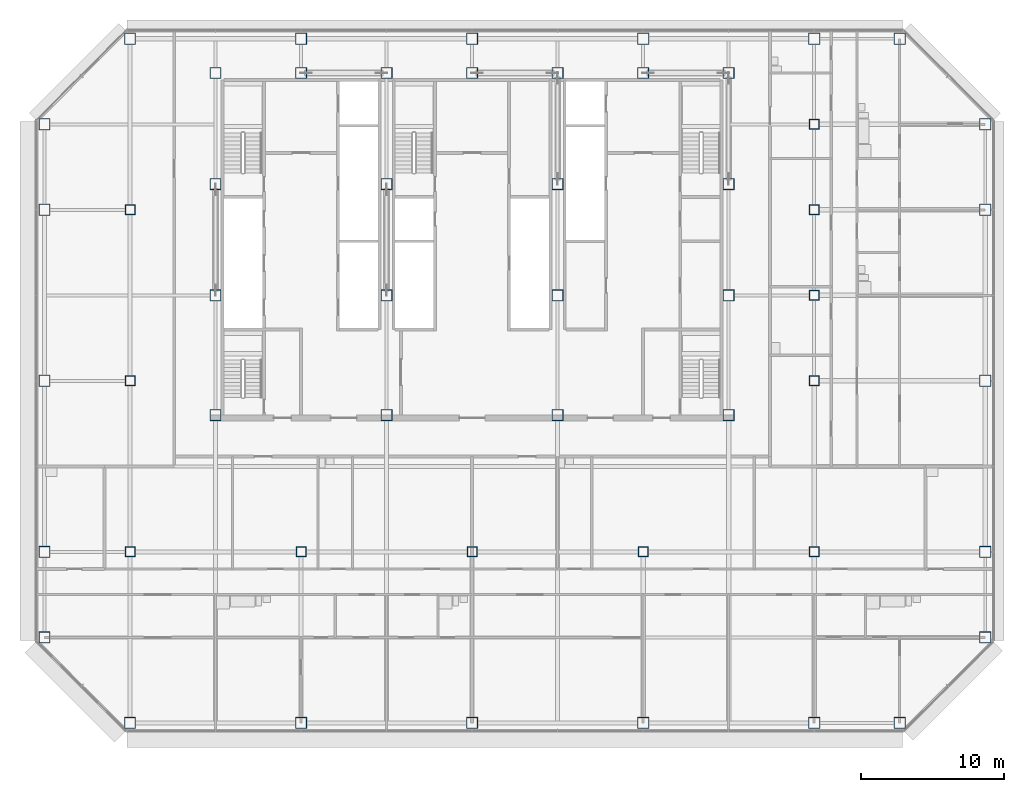
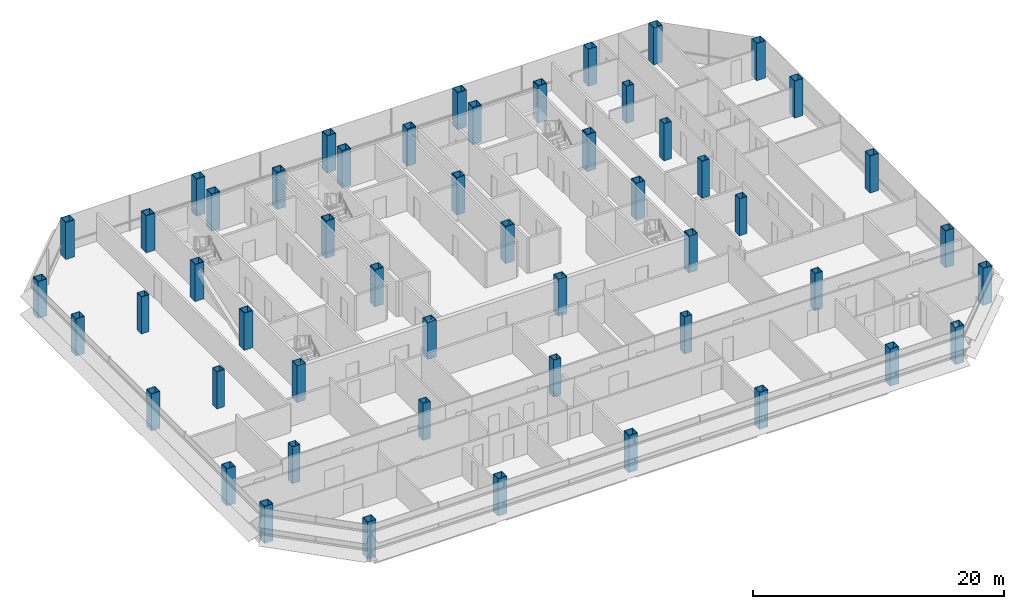
# One storey, part 1 of 25: 52 columns.
"""IFC4 building model written with IfcOpenShell, lengths in metres."""

from ifc_helpers import new_model, si_unit, direction, frame, origin, origin_2d, place, context, subcontext, project, spatial, hollow_rectangle, extrude, material, material_profile, profile_set, type_object, element, save


model = new_model("IFC4")

# Units and contexts
model_context = context("Model", 3, precision=1e-05, world=origin(), true_north=direction((0.0, 1.0)))
body_context = subcontext(model_context, "Body", "Model", "MODEL_VIEW")
ifc_project = project(units=[si_unit("LENGTHUNIT", "METRE"), si_unit("AREAUNIT", "SQUARE_METRE"), si_unit("VOLUMEUNIT", "CUBIC_METRE"), si_unit("PLANEANGLEUNIT", "RADIAN"), si_unit("MASSUNIT", "GRAM", prefix="KILO")], contexts=[model_context])

# Site, building, storey
site_placement = place(None, origin())
site = spatial("IfcSite", under=ifc_project, at=site_placement, CompositionType="ELEMENT")
building_placement = place(site_placement, origin())
building = spatial("IfcBuilding", under=site, at=building_placement, Name="Sorahane Residences", CompositionType="ELEMENT")
storey_placement = place(building_placement, frame((0.0, 0.0, 143.800048828125)))
storey = spatial("IfcBuildingStorey", under=building, at=storey_placement, Name="L32", CompositionType="ELEMENT", Elevation=143.800048828125)

# Columns
ifc_material_1 = material(Name="Steel Q355B", Category="steel")
ifc_material_profile_1 = material_profile(ifc_material_1, hollow_rectangle(XDim=0.699951171875, YDim=0.699951171875, WallThickness=0.035888671875, at=origin_2d()), Name="BOX 700x700x36")
ifc_profile_set_1 = profile_set([ifc_material_profile_1], Name="Steel Q355B")
column_type_1 = type_object("IfcColumnType", Name="Steel box column BOX 700x700x36 Q355B", PredefinedType="COLUMN", material=ifc_profile_set_1)
for number, where, z_axis, x_axis, name in (
    (1, (0.0, 12.0, 0.0), (0.0, 0.0, 1.0), (1.0, 0.0, 0.0), "Column L32 0/12"),
    (2, (0.0, 24.0, 0.0), (0.0, 0.0, 1.0), (1.0, 0.0, 0.0), "Column L32 0/24"),
    (3, (0.0, 36.0, 0.0), (0.0, 0.0, 1.0), (1.0, 0.0, 0.0), "Column L32 0/36"),
    (4, (12.0, 12.0, 0.0), (0.0, 0.0, 1.0), (1.0, 0.0, 0.0), "Column L32 12/12"),
    (5, (24.0, 12.0, 0.0), (0.0, 0.0, 1.0), (1.0, 0.0, 0.0), "Column L32 24/12"),
    (6, (36.0, 12.0, 0.0), (0.0, 0.0, 1.0), (1.0, 0.0, 0.0), "Column L32 36/12"),
    (7, (48.0, 12.0, 0.0), (0.0, 0.0, 1.0), (1.0, 0.0, 0.0), "Column L32 48/12"),
    (8, (48.0, 24.0, 0.0), (0.0, 0.0, 1.0), (1.0, 0.0, 0.0), "Column L32 48/24"),
    (9, (48.0, 30.0, 0.0), (0.0, 0.0, 1.0), (1.0, 0.0, 0.0), "Column L32 48/30"),
    (10, (48.0, 36.0, 0.0), (0.0, 0.0, 1.0), (1.0, 0.0, 0.0), "Column L32 48/36"),
    (11, (48.0, 42.0, 0.0), (0.0, 0.0, 1.0), (1.0, 0.0, 0.0), "Column L32 48/42"),
):
    element("IfcColumn", number, at=place(storey_placement, frame(where, z_axis=z_axis, x_axis=x_axis)), inside=storey, type_object=column_type_1, Name=name, PredefinedType="COLUMN", context=body_context, shape_type="SweptSolid", body=[
        extrude(hollow_rectangle(XDim=0.699951171875, YDim=0.699951171875, WallThickness=0.035888671875, at=origin_2d()), origin(), (0.0, 0.0, 1.0), 3.599853515625),
    ])
ifc_material_2 = material(Name="Steel Q355B", Category="steel")
ifc_material_profile_2 = material_profile(ifc_material_2, hollow_rectangle(XDim=0.800048828125, YDim=0.800048828125, WallThickness=0.0400390625, at=origin_2d()), Name="BOX 800x800x40")
ifc_profile_set_2 = profile_set([ifc_material_profile_2], Name="Steel Q355B")
column_type_2 = type_object("IfcColumnType", Name="Steel box column BOX 800x800x40 Q355B", PredefinedType="COLUMN", material=ifc_profile_set_2)
for number, where, z_axis, x_axis, name in (
    (12, (-6.0, 6.0, 0.0), (0.0, 0.0, 1.0), (1.0, 0.0, 0.0), "Column L32 m6/6"),
    (13, (-6.0, 12.0, 0.0), (0.0, 0.0, 1.0), (1.0, 0.0, 0.0), "Column L32 m6/12"),
    (14, (-6.0, 24.0, 0.0), (0.0, 0.0, 1.0), (1.0, 0.0, 0.0), "Column L32 m6/24"),
    (15, (-6.0, 36.0, 0.0), (0.0, 0.0, 1.0), (1.0, 0.0, 0.0), "Column L32 m6/36"),
    (16, (-6.0, 42.0, 0.0), (0.0, 0.0, 1.0), (1.0, 0.0, 0.0), "Column L32 m6/42"),
    (17, (0.0, 0.0, 0.0), (0.0, 0.0, 1.0), (1.0, 0.0, 0.0), "Column L32 0/0"),
    (18, (0.0, 48.0, 0.0), (0.0, 0.0, 1.0), (1.0, 0.0, 0.0), "Column L32 0/48"),
    (19, (12.0, 0.0, 0.0), (0.0, 0.0, 1.0), (1.0, 0.0, 0.0), "Column L32 12/0"),
    (20, (12.0, 48.0, 0.0), (0.0, 0.0, 1.0), (1.0, 0.0, 0.0), "Column L32 12/48"),
    (21, (24.0, 0.0, 0.0), (0.0, 0.0, 1.0), (1.0, 0.0, 0.0), "Column L32 24/0"),
    (22, (24.0, 48.0, 0.0), (0.0, 0.0, 1.0), (1.0, 0.0, 0.0), "Column L32 24/48"),
    (23, (36.0, 0.0, 0.0), (0.0, 0.0, 1.0), (1.0, 0.0, 0.0), "Column L32 36/0"),
    (24, (36.0, 48.0, 0.0), (0.0, 0.0, 1.0), (1.0, 0.0, 0.0), "Column L32 36/48"),
    (25, (48.0, 0.0, 0.0), (0.0, 0.0, 1.0), (1.0, 0.0, 0.0), "Column L32 48/0"),
    (26, (48.0, 48.0, 0.0), (0.0, 0.0, 1.0), (1.0, 0.0, 0.0), "Column L32 48/48"),
    (27, (54.0, 0.0, 0.0), (0.0, 0.0, 1.0), (1.0, 0.0, 0.0), "Column L32 54/0"),
    (28, (54.0, 48.0, 0.0), (0.0, 0.0, 1.0), (1.0, 0.0, 0.0), "Column L32 54/48"),
    (29, (60.0, 6.0, 0.0), (0.0, 0.0, 1.0), (1.0, 0.0, 0.0), "Column L32 60/6"),
    (30, (60.0, 12.0, 0.0), (0.0, 0.0, 1.0), (1.0, 0.0, 0.0), "Column L32 60/12"),
    (31, (60.0, 24.0, 0.0), (0.0, 0.0, 1.0), (1.0, 0.0, 0.0), "Column L32 60/24"),
    (32, (60.0, 36.0, 0.0), (0.0, 0.0, 1.0), (1.0, 0.0, 0.0), "Column L32 60/36"),
    (33, (60.0, 42.0, 0.0), (0.0, 0.0, 1.0), (1.0, 0.0, 0.0), "Column L32 60/42"),
):
    element("IfcColumn", number, at=place(storey_placement, frame(where, z_axis=z_axis, x_axis=x_axis)), inside=storey, type_object=column_type_2, Name=name, PredefinedType="COLUMN", context=body_context, shape_type="SweptSolid", body=[
        extrude(hollow_rectangle(XDim=0.800048828125, YDim=0.800048828125, WallThickness=0.0400390625, at=origin_2d()), origin(), (0.0, 0.0, 1.0), 3.599853515625),
    ])
ifc_material_3 = material(Name="Steel Q420GJ", Category="steel")
ifc_material_profile_3 = material_profile(ifc_material_3, hollow_rectangle(XDim=0.800048828125, YDim=0.800048828125, WallThickness=0.050048828125, at=origin_2d()), Name="BOX 800x800x50")
ifc_profile_set_3 = profile_set([ifc_material_profile_3], Name="Steel Q420GJ")
column_type_3 = type_object("IfcColumnType", Name="Steel box column BOX 800x800x50 Q420GJ", PredefinedType="COLUMN", material=ifc_profile_set_3)
for number, where, z_axis, x_axis, name in (
    (34, (6.0, 21.60009765625, 0.0), (0.0, 0.0, 1.0), (1.0, 0.0, 0.0), "Column L32 6/21.6"),
    (35, (6.0, 30.0, 0.0), (0.0, 0.0, 1.0), (1.0, 0.0, 0.0), "Column L32 6/30"),
    (36, (6.0, 37.800048828125, 0.0), (0.0, 0.0, 1.0), (1.0, 0.0, 0.0), "Column L32 6/37.8"),
    (37, (6.0, 45.60009765625, 0.0), (0.0, 0.0, 1.0), (1.0, 0.0, 0.0), "Column L32 6/45.6"),
    (38, (12.0, 45.60009765625, 0.0), (0.0, 0.0, 1.0), (1.0, 0.0, 0.0), "Column L32 12/45.6"),
    (39, (18.0, 21.60009765625, 0.0), (0.0, 0.0, 1.0), (1.0, 0.0, 0.0), "Column L32 18/21.6"),
    (40, (18.0, 30.0, 0.0), (0.0, 0.0, 1.0), (1.0, 0.0, 0.0), "Column L32 18/30"),
    (41, (18.0, 37.800048828125, 0.0), (0.0, 0.0, 1.0), (1.0, 0.0, 0.0), "Column L32 18/37.8"),
    (42, (18.0, 45.60009765625, 0.0), (0.0, 0.0, 1.0), (1.0, 0.0, 0.0), "Column L32 18/45.6"),
    (43, (24.0, 45.60009765625, 0.0), (0.0, 0.0, 1.0), (1.0, 0.0, 0.0), "Column L32 24/45.6"),
    (44, (30.0, 21.60009765625, 0.0), (0.0, 0.0, 1.0), (1.0, 0.0, 0.0), "Column L32 30/21.6"),
    (45, (30.0, 30.0, 0.0), (0.0, 0.0, 1.0), (1.0, 0.0, 0.0), "Column L32 30/30"),
    (46, (30.0, 37.800048828125, 0.0), (0.0, 0.0, 1.0), (1.0, 0.0, 0.0), "Column L32 30/37.8"),
    (47, (30.0, 45.60009765625, 0.0), (0.0, 0.0, 1.0), (1.0, 0.0, 0.0), "Column L32 30/45.6"),
    (48, (36.0, 45.60009765625, 0.0), (0.0, 0.0, 1.0), (1.0, 0.0, 0.0), "Column L32 36/45.6"),
    (49, (42.0, 21.60009765625, 0.0), (0.0, 0.0, 1.0), (1.0, 0.0, 0.0), "Column L32 42/21.6"),
    (50, (42.0, 30.0, 0.0), (0.0, 0.0, 1.0), (1.0, 0.0, 0.0), "Column L32 42/30"),
    (51, (42.0, 37.800048828125, 0.0), (0.0, 0.0, 1.0), (1.0, 0.0, 0.0), "Column L32 42/37.8"),
    (52, (42.0, 45.60009765625, 0.0), (0.0, 0.0, 1.0), (1.0, 0.0, 0.0), "Column L32 42/45.6"),
):
    element("IfcColumn", number, at=place(storey_placement, frame(where, z_axis=z_axis, x_axis=x_axis)), inside=storey, type_object=column_type_3, Name=name, PredefinedType="COLUMN", context=body_context, shape_type="SweptSolid", body=[
        extrude(hollow_rectangle(XDim=0.800048828125, YDim=0.800048828125, WallThickness=0.050048828125, at=origin_2d()), origin(), (0.0, 0.0, 1.0), 3.599853515625),
    ])

save(model, "model.ifc")
